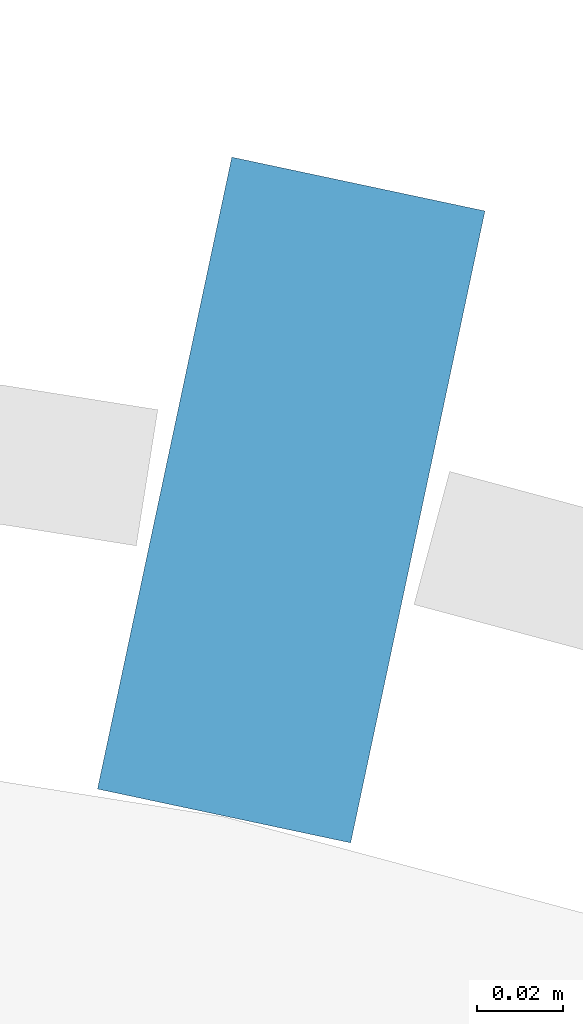
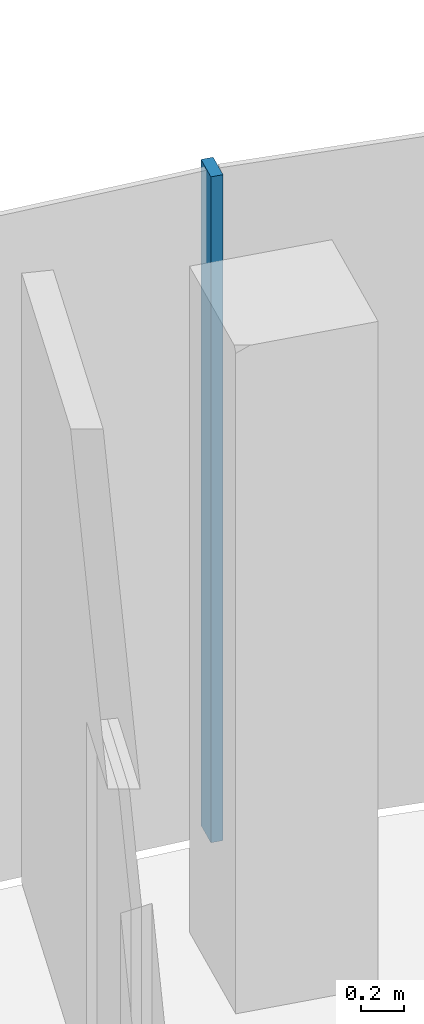
# One storey, part 7 of 18: 1 member, 1 element without a shape of its own.
"""IFC4 building model written with IfcOpenShell, lengths in metres."""

from ifc_helpers import new_model, si_unit, direction, frame, origin, origin_2d, place, context, subcontext, project, spatial, rectangle, extrude, material, layer, layer_set, material_profile, profile_set, type_object, element, aggregate, save


model = new_model("IFC4")

# Units and contexts
model_context = context("Model", 3, precision=1e-05, world=origin(), true_north=direction((0.0, 1.0)))
body_context = subcontext(model_context, "Body", "Model", "MODEL_VIEW")
ifc_project = project(units=[si_unit("LENGTHUNIT", "METRE"), si_unit("AREAUNIT", "SQUARE_METRE"), si_unit("VOLUMEUNIT", "CUBIC_METRE"), si_unit("PLANEANGLEUNIT", "RADIAN"), si_unit("MASSUNIT", "GRAM", prefix="KILO")], contexts=[model_context])

# Site, building, storey
site_placement = place(None, origin())
site = spatial("IfcSite", under=ifc_project, at=site_placement, CompositionType="ELEMENT")
building_placement = place(site_placement, origin())
building = spatial("IfcBuilding", under=site, at=building_placement, Name="Stone Belt Terrace Tower", CompositionType="ELEMENT")
storey_placement = place(building_placement, frame((0.0, 0.0, 284.60009765625)))
storey = spatial("IfcBuildingStorey", under=building, at=storey_placement, Name="L69", CompositionType="ELEMENT", Elevation=284.60009765625)

# Curtain wall, member
ifc_material = material(Name="Aluminium 6063-T6 anodised frame", Category="aluminium")
ifc_layer = layer(ifc_material, 0.14990234375)
ifc_layer_set = layer_set([ifc_layer], Name="CW-A unitised convex-face curtain wall")
curtain_wall_type = type_object("IfcCurtainWallType", Name="CW-A unitised convex-face curtain wall", PredefinedType="NOTDEFINED", material=ifc_layer_set)
curtain_wall_placement = place(storey_placement, origin())
curtain_wall = element("IfcCurtainWall", 1, at=curtain_wall_placement, inside=storey, type_object=curtain_wall_type, Name="CW-A convex face L69", PredefinedType="NOTDEFINED")
ifc_material_profile = material_profile(ifc_material, rectangle(XDim=0.14990234375, YDim=0.06005859375, at=origin_2d()), Name="Aluminium 6063-T6 60x150")
ifc_profile_set = profile_set([ifc_material_profile], Name="Aluminium 6063-T6 anodised frame")
member_type = type_object("IfcMemberType", Name="CW-A mullion 60 x 150", PredefinedType="MULLION", material=ifc_profile_set)
member_placement = place(storey_placement, frame((13.841796875, 65.120361328125, 0.0), z_axis=(0.0, 0.0, 1.0), x_axis=(-0.207911690818, -0.978147600734, 0.0)))
member = element("IfcMember", 2, at=member_placement, type_object=member_type, Name="CW-A mullion 6", PredefinedType="MULLION", context=body_context, shape_type="SweptSolid", body=[
    extrude(rectangle(XDim=0.14990234375, YDim=0.06005859375, at=origin_2d()), origin(), (0.0, 0.0, 1.0), 3.7998046875),
])
aggregate(curtain_wall, [member])

save(model, "model.ifc")
